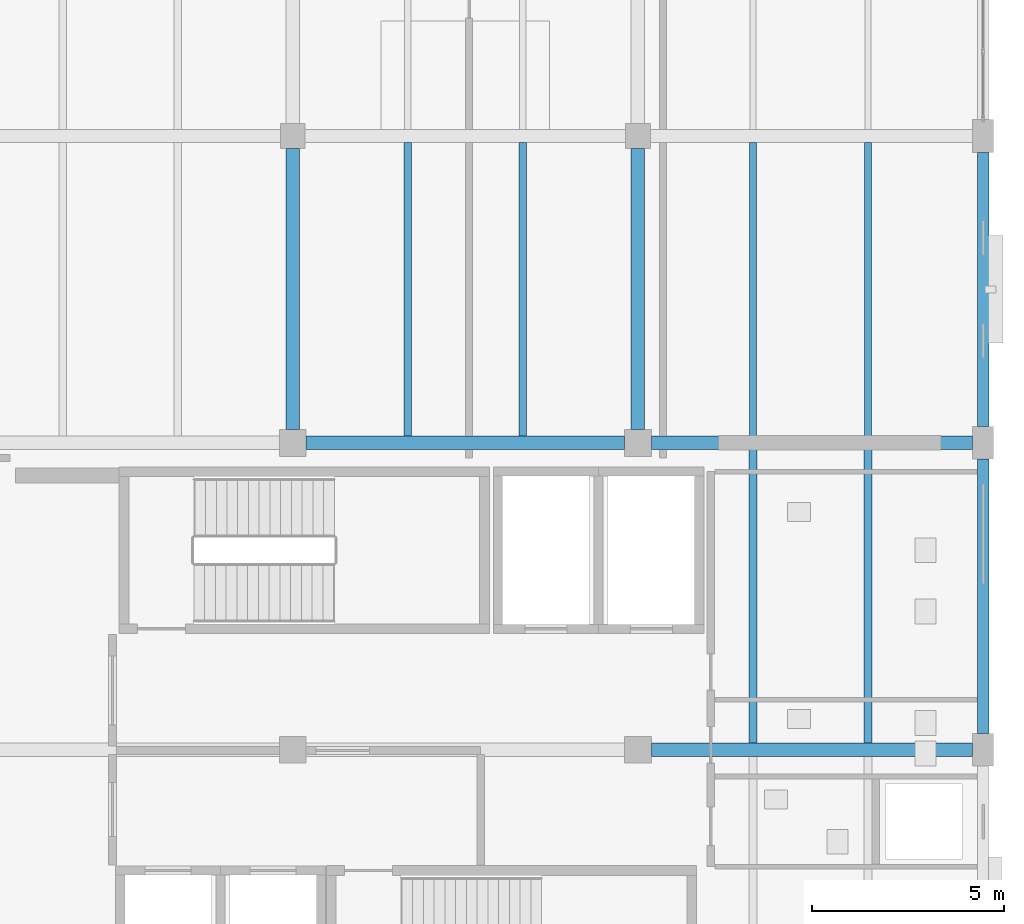
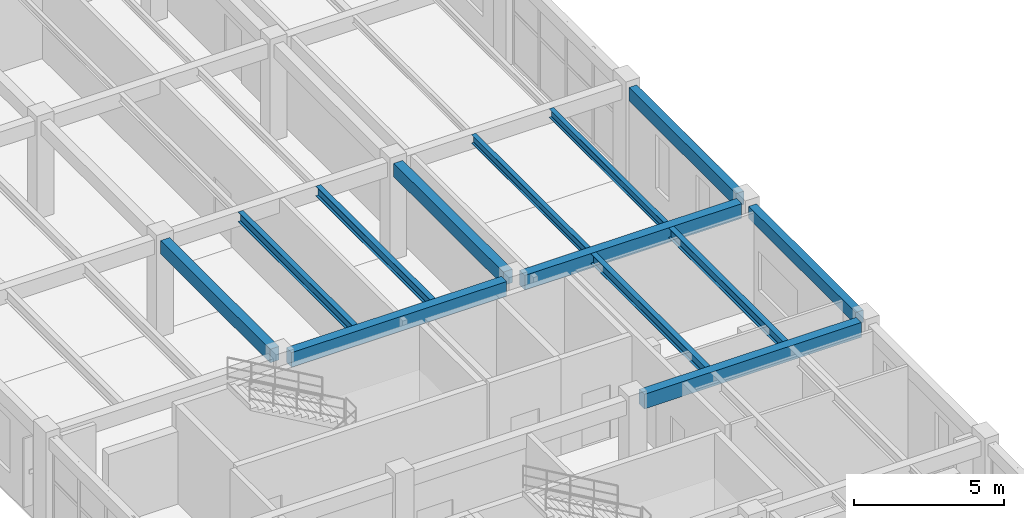
# One storey, part 38 of 71: 13 beams.
"""IFC4 building model written with IfcOpenShell, lengths in metres."""

import ifcopenshell
import ifcopenshell.guid

model = None  # the IFC model being written
_history = None  # IfcOwnerHistory: only IFC2X3 demands one
_inside = {}  # id of a spatial element -> (the spatial element, [elements in it])
_under = {}  # id of a project, library or spatial element -> (it, [spatial elements below it])
_declared = {}  # id of a project -> (the project, [libraries it declares])
_typed = {}  # id of a type object -> (the type object, [elements of that type])
_made_of = {}  # id of a material, layer set ... -> (it, [elements and type objects made of it])


def new_model(schema):
    """Start an empty IFC model of exactly this schema.

    Asked for "IFC4X3", IfcOpenShell would pick the latest addendum, in which some entities
    have other attributes; the version numbers below select the first issue.
    IFC2X3 requires an IfcOwnerHistory on every rooted entity: one is made here for all.
    """
    global model, _history
    if schema == "IFC4X3":
        model = ifcopenshell.file(schema_version=(4, 3, 0, 0))
    else:
        model = ifcopenshell.file(schema=schema)
    _inside.clear()
    _under.clear()
    _declared.clear()
    _typed.clear()
    _made_of.clear()
    _history = None
    if model.schema == "IFC2X3":
        org = make("IfcOrganization", Name="unknown")
        user = make(
            "IfcPersonAndOrganization",
            ThePerson=make("IfcPerson", FamilyName="unknown"),
            TheOrganization=org,
        )
        app = make(
            "IfcApplication",
            ApplicationDeveloper=org,
            Version="unknown",
            ApplicationFullName="unknown",
            ApplicationIdentifier="unknown",
        )
        _history = make(
            "IfcOwnerHistory",
            OwningUser=user,
            OwningApplication=app,
            ChangeAction="ADDED",
            CreationDate=0,
        )
    return model


def make(cls, **values):
    """One entity of the class cls with the attributes given. An attribute that is None is left unset."""
    return model.create_entity(
        cls, **{name: value for name, value in values.items() if value is not None}
    )


def rooted(cls, **values):
    """An entity with a GlobalId (a new one), such as an element, a storey or a relation."""
    return make(cls, GlobalId=ifcopenshell.guid.new(), OwnerHistory=_history, **values)


def si_unit(unit_type, name, prefix=None):
    """IfcSIUnit, for example si_unit("LENGTHUNIT", "METRE", prefix="MILLI")."""
    return make("IfcSIUnit", UnitType=unit_type, Prefix=prefix, Name=name)


def derived_unit(unit_type, elements):
    """IfcDerivedUnit: a product of units, each with its exponent."""
    return make(
        "IfcDerivedUnit",
        Elements=[
            make("IfcDerivedUnitElement", Unit=unit, Exponent=power)
            for unit, power in elements
        ],
        UnitType=unit_type,
    )


def assignment(units):
    """IfcUnitAssignment: the units of a project."""
    return None if units is None else make("IfcUnitAssignment", Units=units)


def point(xyz):
    """IfcCartesianPoint."""
    return None if xyz is None else make("IfcCartesianPoint", Coordinates=xyz)


def direction(xyz):
    """IfcDirection."""
    return None if xyz is None else make("IfcDirection", DirectionRatios=xyz)


def frame(location, z_axis=None, x_axis=None):
    """IfcAxis2Placement3D, a coordinate frame: its origin and axes. An axis left out is left unset."""
    return make(
        "IfcAxis2Placement3D",
        Location=point(location),
        Axis=direction(z_axis),
        RefDirection=direction(x_axis),
    )


def frame_2d(location, x_axis=None):
    """IfcAxis2Placement2D, a coordinate frame in the plane: its origin and x axis."""
    return make(
        "IfcAxis2Placement2D", Location=point(location), RefDirection=direction(x_axis)
    )


def origin():
    """The frame at (0, 0, 0) with its axes left unset."""
    return frame((0.0, 0.0, 0.0))


def origin_2d():
    """The frame at (0, 0) in the plane with its x axis left unset."""
    return frame_2d((0.0, 0.0))


def place(relative_to, where):
    """IfcLocalPlacement: puts the frame where relative to a parent placement (None: the world)."""
    return make(
        "IfcLocalPlacement", PlacementRelTo=relative_to, RelativePlacement=where
    )


def context(
    kind, dimensions, precision=None, world=None, true_north=None, identifier=None
):
    """IfcGeometricRepresentationContext, for example the 3D "Model" context."""
    return make(
        "IfcGeometricRepresentationContext",
        ContextIdentifier=identifier,
        ContextType=kind,
        CoordinateSpaceDimension=dimensions,
        Precision=precision,
        WorldCoordinateSystem=world,
        TrueNorth=true_north,
    )


def subcontext(parent, identifier, kind, view, scale=None):
    """IfcGeometricRepresentationSubContext, for example "Body" below "Model"."""
    return make(
        "IfcGeometricRepresentationSubContext",
        ContextIdentifier=identifier,
        ContextType=kind,
        ParentContext=parent,
        TargetScale=scale,
        TargetView=view,
    )


def project(units=None, contexts=None):
    """IfcProject with its units and contexts."""
    return rooted(
        "IfcProject",
        Name="project",
        RepresentationContexts=contexts,
        UnitsInContext=assignment(units),
    )


def spatial(cls, under=None, at=None, **own):
    """A site, building, storey or space (cls), placed at a placement, below another one or the project."""
    s = rooted(cls, ObjectPlacement=at, **own)
    if under is not None:
        _under.setdefault(under.id(), (under, []))[1].append(s)
    return s


def profile(cls, at=None, kind="AREA", **sizes):
    """A parametric profile (cls). Its sizes go by their IFC names, for example OverallWidth=200.0."""
    return make(cls, ProfileType=kind, Position=at, **sizes)


def rectangle(**sizes):
    """IfcRectangleProfileDef."""
    return profile("IfcRectangleProfileDef", **sizes)


def i_section(**sizes):
    """IfcIShapeProfileDef."""
    return profile("IfcIShapeProfileDef", **sizes)


def extrude(swept, where, along, depth):
    """IfcExtrudedAreaSolid: the profile swept, set in the frame where, extruded along a direction by depth."""
    return make(
        "IfcExtrudedAreaSolid",
        SweptArea=swept,
        Position=where,
        ExtrudedDirection=direction(along),
        Depth=depth,
    )


def shape(context_of_items, identifier, shape_type, items):
    """IfcShapeRepresentation: the items that make up one representation, for example the "Body"."""
    return make(
        "IfcShapeRepresentation",
        ContextOfItems=context_of_items,
        RepresentationIdentifier=identifier,
        RepresentationType=shape_type,
        Items=items,
    )


def material(Name=None, Category=None):
    """IfcMaterial."""
    return make("IfcMaterial", Name=Name, Category=Category)


def material_profile(
    of_material, cross_section, Name=None, Category=None, Priority=None
):
    """IfcMaterialProfile: a cross section and its material."""
    return make(
        "IfcMaterialProfile",
        Name=Name,
        Material=of_material,
        Profile=cross_section,
        Priority=Priority,
        Category=Category,
    )


def profile_set(profiles, Name=None, composite=None):
    """IfcMaterialProfileSet."""
    return make(
        "IfcMaterialProfileSet",
        Name=Name,
        MaterialProfiles=profiles,
        CompositeProfile=composite,
    )


def made_of(thing, what):
    """Note that an element or type object is made of a material, layer set ...; save() writes the relation."""
    if what is not None:
        _made_of.setdefault(what.id(), (what, []))[1].append(thing)
    return thing


def type_object(cls, material=None, **own):
    """A type object (cls), such as IfcWallType, which elements share."""
    return made_of(rooted(cls, **own), material)


def element(
    cls,
    number,
    at=None,
    inside=None,
    cuts=None,
    type_object=None,
    material=None,
    context=None,
    identifier="Body",
    shape_type=None,
    held_by="IfcProductDefinitionShape",
    body=None,
    shapes=None,
    **own,
):
    """One element of the class cls, such as IfcWall. Its Tag is "e" and its number.

    at: its placement. inside: the storey or other place that contains it. cuts: it is an
    opening in that element (IfcRelVoidsElement). A single representation is given by context,
    identifier, shape_type and body (its items); several are given by shapes. held_by: the class
    of the entity that holds the representations. save() writes the other relations.
    """
    e = rooted(cls, Tag="e%d" % number, ObjectPlacement=at, **own)
    if body is not None:
        shapes = [shape(context, identifier, shape_type, body)]
    if shapes is not None:
        e.Representation = make(held_by, Representations=shapes)
    if inside is not None:
        _inside.setdefault(inside.id(), (inside, []))[1].append(e)
    if cuts is not None:
        rooted(
            "IfcRelVoidsElement", RelatingBuildingElement=cuts, RelatedOpeningElement=e
        )
    if type_object is not None:
        _typed.setdefault(type_object.id(), (type_object, []))[1].append(e)
    return made_of(e, material)


def aggregate(whole, parts):
    """IfcRelAggregates: a whole, such as a stair, and the parts it consists of."""
    return rooted("IfcRelAggregates", RelatingObject=whole, RelatedObjects=parts)


def save(model, path):
    """Write the relations noted so far, then the file.

    IfcRelAggregates (storeys below a building ...), IfcRelContainedInSpatialStructure (elements
    in a storey), IfcRelDefinesByType, IfcRelAssociatesMaterial and IfcRelDeclares: one each for
    every whole, place, type object, material and project.
    """
    for whole, parts in _under.values():
        aggregate(whole, parts)
    for where, things in _inside.values():
        rooted(
            "IfcRelContainedInSpatialStructure",
            RelatedElements=things,
            RelatingStructure=where,
        )
    for kind, things in _typed.values():
        rooted("IfcRelDefinesByType", RelatedObjects=things, RelatingType=kind)
    for what, things in _made_of.values():
        rooted("IfcRelAssociatesMaterial", RelatedObjects=things, RelatingMaterial=what)
    for by, libraries in _declared.values():
        rooted("IfcRelDeclares", RelatingContext=by, RelatedDefinitions=libraries)
    model.write(path)


model = new_model("IFC4")

# Units and contexts
model_context = context("Model", 3, precision=1e-05, world=origin(), true_north=direction((0.0, 1.0)))
body_context = subcontext(model_context, "Body", "Model", "MODEL_VIEW")
ifc_project = project(units=[si_unit("LENGTHUNIT", "METRE"), si_unit("AREAUNIT", "SQUARE_METRE"), si_unit("VOLUMEUNIT", "CUBIC_METRE"), si_unit("PLANEANGLEUNIT", "RADIAN"), si_unit("MASSUNIT", "GRAM", prefix="KILO"), derived_unit("THERMALTRANSMITTANCEUNIT", [(si_unit("MASSUNIT", "GRAM", prefix="KILO"), 1), (si_unit("TIMEUNIT", "SECOND"), -3), (si_unit("THERMODYNAMICTEMPERATUREUNIT", "KELVIN"), -1)])], contexts=[model_context])

# Site, building, storey
site_placement = place(None, origin())
site = spatial("IfcSite", under=ifc_project, at=site_placement, CompositionType="ELEMENT")
building_placement = place(site_placement, origin())
building = spatial("IfcBuilding", under=site, at=building_placement, Name="Zhenchuan Archway Interchange", CompositionType="ELEMENT")
storey_placement = place(building_placement, frame((0.0, 0.0, 18.60009765625)))
storey = spatial("IfcBuildingStorey", under=building, at=storey_placement, Name="L04", CompositionType="ELEMENT", Elevation=18.60009765625)

# Beams
ifc_material_1 = material(Name="Concrete C40", Category="concrete")
ifc_material_profile_1 = material_profile(ifc_material_1, rectangle(XDim=0.35009765625, YDim=0.550048828125, at=origin_2d()), Name="RC 350x550")
ifc_profile_set_1 = profile_set([ifc_material_profile_1], Name="Concrete C40")
beam_type_1 = type_object("IfcBeamType", Name="BM_RC_350x550", PredefinedType="BEAM", material=ifc_profile_set_1)
for number, where, z_axis, x_axis, name in (
    (1, (153.0, 64.35009765625, 3.664794921875), (0.0, 1.0, 0.0), (-1.0, 0.0, 0.0), "Beam 18:J-K (L04)"),
    (2, (162.0, 64.35009765625, 3.664794921875), (0.0, 1.0, 0.0), (-1.0, 0.0, 0.0), "Beam 19:J-K (L04)"),
):
    element("IfcBeam", number, at=place(storey_placement, frame(where, z_axis=z_axis, x_axis=x_axis)), inside=storey, type_object=beam_type_1, Name=name, PredefinedType="BEAM", context=body_context, shape_type="SweptSolid", body=[
        extrude(rectangle(XDim=0.35009765625, YDim=0.550048828125, at=origin_2d()), origin(), (0.0, 0.0, 1.0), 7.324951171875),
    ])
ifc_material_profile_2 = material_profile(ifc_material_1, rectangle(XDim=0.35009765625, YDim=0.60009765625, at=origin_2d()), Name="RC 350x600")
ifc_profile_set_2 = profile_set([ifc_material_profile_2], Name="Concrete C40")
beam_type_2 = type_object("IfcBeamType", Name="BM_RC_350x600", PredefinedType="BEAM", material=ifc_profile_set_2)
beam_1_placement = place(storey_placement, frame((162.35009765625, 56.0, 3.639892578125), z_axis=(1.0, 0.0, 0.0), x_axis=(0.0, 1.0, 0.0)))
element("IfcBeam", 3, at=beam_1_placement, inside=storey, type_object=beam_type_2, Name="Beam H:19-20 (L04)", PredefinedType="BEAM", context=body_context, shape_type="SweptSolid", body=[
    extrude(rectangle(XDim=0.35009765625, YDim=0.60009765625, at=origin_2d()), origin(), (0.0, 0.0, 1.0), 8.375),
])
beam_2_placement = place(storey_placement, frame((153.35009765625, 64.0, 3.639892578125), z_axis=(1.0, 0.0, 0.0), x_axis=(0.0, 1.0, 0.0)))
element("IfcBeam", 4, at=beam_2_placement, inside=storey, type_object=beam_type_2, Name="Beam J:18-19 (L04)", PredefinedType="BEAM", context=body_context, shape_type="SweptSolid", body=[
    extrude(rectangle(XDim=0.35009765625, YDim=0.60009765625, at=origin_2d()), origin(), (0.0, 0.0, 1.0), 8.2998046875),
])
beam_3_placement = place(storey_placement, frame((162.35009765625, 64.0, 3.639892578125), z_axis=(1.0, 0.0, 0.0), x_axis=(0.0, 1.0, 0.0)))
element("IfcBeam", 5, at=beam_3_placement, inside=storey, type_object=beam_type_2, Name="Beam J:19-20 (L04)", PredefinedType="BEAM", context=body_context, shape_type="SweptSolid", body=[
    extrude(rectangle(XDim=0.35009765625, YDim=0.60009765625, at=origin_2d()), origin(), (0.0, 0.0, 1.0), 8.375),
])
ifc_material_2 = material(Name="Steel Q355", Category="steel")
ifc_material_profile_3 = material_profile(ifc_material_2, i_section(OverallWidth=0.175048828125, OverallDepth=0.35009765625, WebThickness=0.007080078125, FlangeThickness=0.010986328125, FilletRadius=0.013916015625, at=origin_2d()), Name="HN 350x175")
ifc_profile_set_3 = profile_set([ifc_material_profile_3], Name="Steel Q355")
beam_type_3 = type_object("IfcBeamType", Name="JST_STL_HN350", PredefinedType="JOIST", material=ifc_profile_set_3)
for number, where, z_axis, x_axis, name in (
    (6, (165.0, 64.175048828125, 3.764892578125), (0.0, 1.0, 0.0), (-1.0, 0.0, 0.0), "Secondary joist 19-20/J-K #1 (L04)"),
    (7, (168.0, 64.175048828125, 3.764892578125), (0.0, 1.0, 0.0), (-1.0, 0.0, 0.0), "Secondary joist 19-20/J-K #2 (L04)"),
):
    element("IfcBeam", number, at=place(storey_placement, frame(where, z_axis=z_axis, x_axis=x_axis)), inside=storey, type_object=beam_type_3, Name=name, PredefinedType="JOIST", context=body_context, shape_type="SweptSolid", body=[
        extrude(i_section(OverallWidth=0.175048828125, OverallDepth=0.35009765625, WebThickness=0.007080078125, FlangeThickness=0.010986328125, FilletRadius=0.013916015625, at=origin_2d()), origin(), (0.0, 0.0, 1.0), 7.64990234375),
    ])
ifc_material_profile_4 = material_profile(ifc_material_2, i_section(OverallWidth=0.199951171875, OverallDepth=0.39990234375, WebThickness=0.008056640625, FlangeThickness=0.012939453125, FilletRadius=0.01611328125, at=origin_2d()), Name="HN 400x200")
ifc_profile_set_4 = profile_set([ifc_material_profile_4], Name="Steel Q355")
beam_type_4 = type_object("IfcBeamType", Name="JST_STL_HN400", PredefinedType="JOIST", material=ifc_profile_set_4)
for number, where, z_axis, x_axis, name in (
    (8, (156.0, 64.175048828125, 3.739990234375), (0.0, 1.0, 0.0), (-1.0, 0.0, 0.0), "Secondary joist 18-19/J-K #1 (L04)"),
    (9, (159.0, 64.175048828125, 3.739990234375), (0.0, 1.0, 0.0), (-1.0, 0.0, 0.0), "Secondary joist 18-19/J-K #2 (L04)"),
    (10, (165.0, 56.175048828125, 3.739990234375), (0.0, 1.0, 0.0), (-1.0, 0.0, 0.0), "Secondary joist 19-20/H-J #1 (L04)"),
    (11, (168.0, 56.175048828125, 3.739990234375), (0.0, 1.0, 0.0), (-1.0, 0.0, 0.0), "Secondary joist 19-20/H-J #2 (L04)"),
):
    element("IfcBeam", number, at=place(storey_placement, frame(where, z_axis=z_axis, x_axis=x_axis)), inside=storey, type_object=beam_type_4, Name=name, PredefinedType="JOIST", context=body_context, shape_type="SweptSolid", body=[
        extrude(i_section(OverallWidth=0.199951171875, OverallDepth=0.39990234375, WebThickness=0.008056640625, FlangeThickness=0.012939453125, FilletRadius=0.01611328125, at=origin_2d()), origin(), (0.0, 0.0, 1.0), 7.64990234375),
    ])
ifc_material_profile_5 = material_profile(ifc_material_1, rectangle(XDim=0.300048828125, YDim=0.5, at=origin_2d()), Name="RC 300x500")
ifc_profile_set_5 = profile_set([ifc_material_profile_5], Name="Concrete C40")
beam_type_5 = type_object("IfcBeamType", Name="SP_RC_300x500", PredefinedType="SPANDREL", material=ifc_profile_set_5)
beam_4_placement = place(storey_placement, frame((171.0, 56.425048828125, 3.68994140625), z_axis=(0.0, 1.0, 0.0), x_axis=(-1.0, 0.0, 0.0)))
element("IfcBeam", 12, at=beam_4_placement, inside=storey, type_object=beam_type_5, Name="Beam 20:H-J (L04)", PredefinedType="SPANDREL", context=body_context, shape_type="SweptSolid", body=[
    extrude(rectangle(XDim=0.300048828125, YDim=0.5, at=origin_2d()), origin(), (0.0, 0.0, 1.0), 7.14990234375),
])
ifc_material_profile_6 = material_profile(ifc_material_1, rectangle(XDim=0.300048828125, YDim=0.550048828125, at=origin_2d()), Name="RC 300x550")
ifc_profile_set_6 = profile_set([ifc_material_profile_6], Name="Concrete C40")
beam_type_6 = type_object("IfcBeamType", Name="SP_RC_300x550", PredefinedType="SPANDREL", material=ifc_profile_set_6)
beam_5_placement = place(storey_placement, frame((171.0, 64.425048828125, 3.664794921875), z_axis=(0.0, 1.0, 0.0), x_axis=(-1.0, 0.0, 0.0)))
element("IfcBeam", 13, at=beam_5_placement, inside=storey, type_object=beam_type_6, Name="Beam 20:J-K (L04)", PredefinedType="SPANDREL", context=body_context, shape_type="SweptSolid", body=[
    extrude(rectangle(XDim=0.300048828125, YDim=0.550048828125, at=origin_2d()), origin(), (0.0, 0.0, 1.0), 7.14990234375),
])

save(model, "model.ifc")
